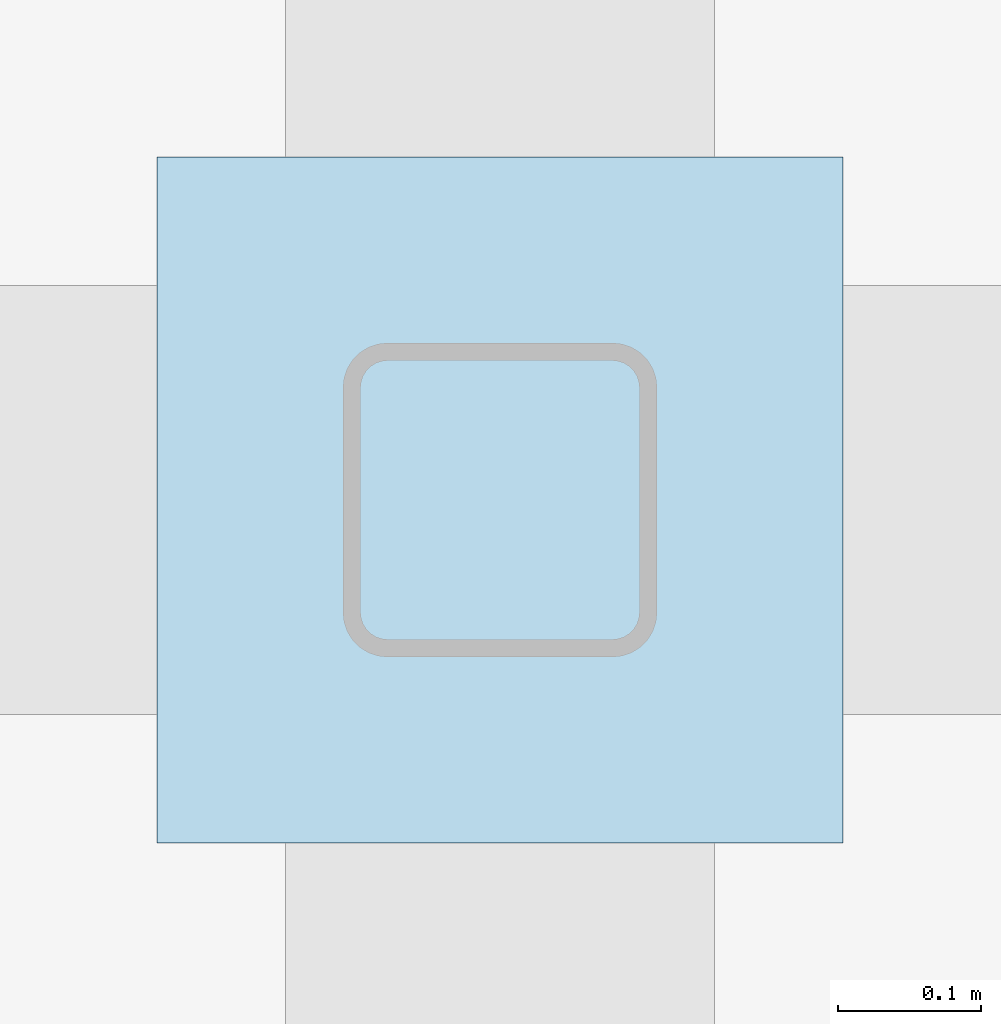
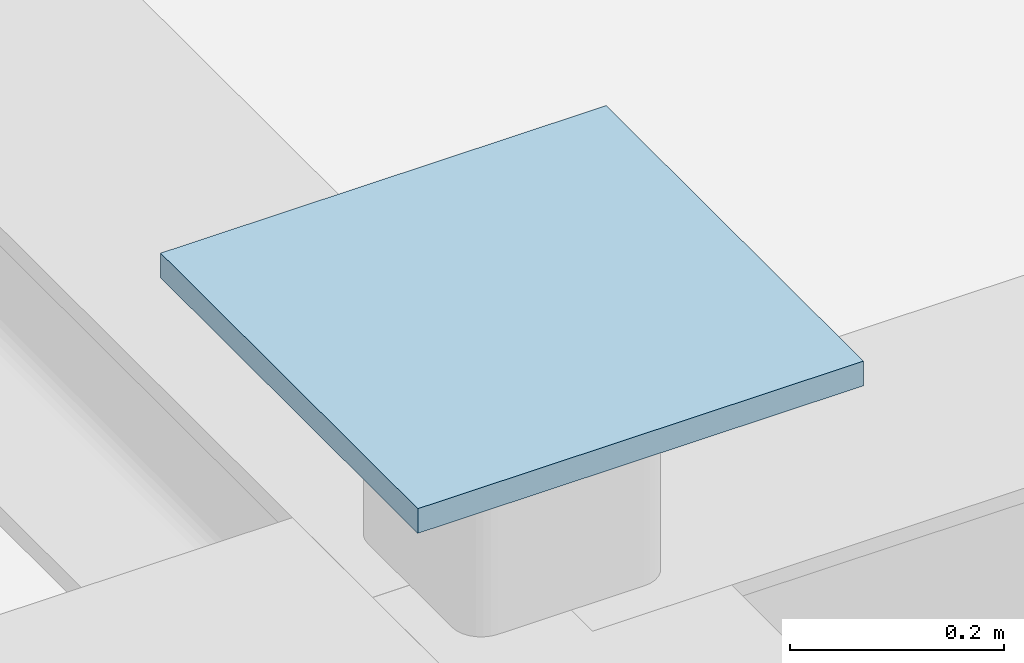
# One storey, part 77 of 101: 1 plate.
"""IFC4 building model written with IfcOpenShell, lengths in metres."""

from ifc_helpers import new_model, si_unit, derived_unit, direction, frame, origin, origin_2d, place, context, subcontext, project, spatial, rectangle, extrude, material, layer, layer_set, type_object, element, save


model = new_model("IFC4")

# Units and contexts
model_context = context("Model", 3, precision=1e-05, world=origin(), true_north=direction((0.0, 1.0)))
body_context = subcontext(model_context, "Body", "Model", "MODEL_VIEW")
ifc_project = project(units=[si_unit("LENGTHUNIT", "METRE"), si_unit("AREAUNIT", "SQUARE_METRE"), si_unit("VOLUMEUNIT", "CUBIC_METRE"), si_unit("PLANEANGLEUNIT", "RADIAN"), si_unit("MASSUNIT", "GRAM", prefix="KILO"), derived_unit("THERMALTRANSMITTANCEUNIT", [(si_unit("POWERUNIT", "WATT"), 1), (si_unit("AREAUNIT", "SQUARE_METRE"), -1), (si_unit("THERMODYNAMICTEMPERATUREUNIT", "KELVIN"), -1)])], contexts=[model_context])

# Site, building, storey
site_placement = place(None, origin())
site = spatial("IfcSite", under=ifc_project, at=site_placement, CompositionType="ELEMENT")
building_placement = place(site_placement, origin())
building = spatial("IfcBuilding", under=site, at=building_placement, Name="Yasenodar Specialist Clinic", CompositionType="ELEMENT")
storey_placement = place(building_placement, origin())
storey = spatial("IfcBuildingStorey", under=building, at=storey_placement, Name="L00", CompositionType="ELEMENT", Elevation=0.0)

# Plate
ifc_material = material(Name="Steel S355", Category="steel")
ifc_layer = layer(ifc_material, 0.028076171875)
ifc_layer_set = layer_set([ifc_layer], Name="Steel S355")
plate_type = type_object("IfcPlateType", Name="PL-STEEL-06", PredefinedType="USERDEFINED", material=ifc_layer_set)
plate_placement = place(storey_placement, frame((154.199951171875, 8.39990234375, 4.5), z_axis=(0.0, 0.0, 1.0), x_axis=(1.0, 0.0, 0.0)))
element("IfcPlate", 1, at=plate_placement, inside=storey, type_object=plate_type, Name="L00 Hollow Column Top Cap Plate 021", ObjectType="CAP_PLATE", PredefinedType="USERDEFINED", context=body_context, shape_type="SweptSolid", body=[
    extrude(rectangle(XDim=0.47998046875, YDim=0.47998046875, at=origin_2d()), origin(), (0.0, 0.0, 1.0), 0.028076171875),
])

save(model, "model.ifc")
